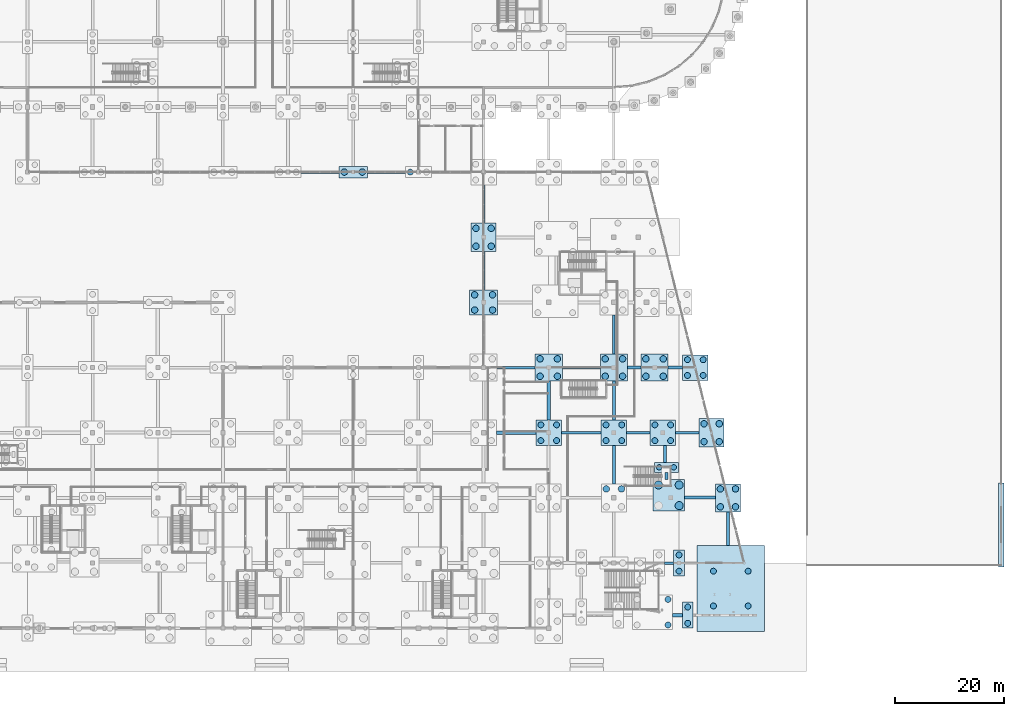
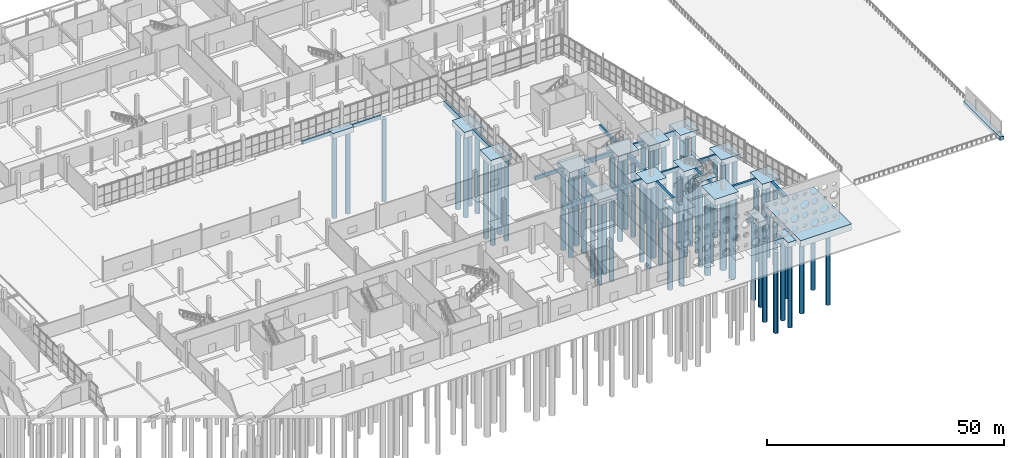
# One storey, part 9 of 117: 64 piles, 40 footings.
"""IFC4 building model written with IfcOpenShell, lengths in metres."""

import ifcopenshell
import ifcopenshell.guid

model = None  # the IFC model being written
_history = None  # IfcOwnerHistory: only IFC2X3 demands one
_inside = {}  # id of a spatial element -> (the spatial element, [elements in it])
_under = {}  # id of a project, library or spatial element -> (it, [spatial elements below it])
_declared = {}  # id of a project -> (the project, [libraries it declares])
_typed = {}  # id of a type object -> (the type object, [elements of that type])
_made_of = {}  # id of a material, layer set ... -> (it, [elements and type objects made of it])


def new_model(schema):
    """Start an empty IFC model of exactly this schema.

    Asked for "IFC4X3", IfcOpenShell would pick the latest addendum, in which some entities
    have other attributes; the version numbers below select the first issue.
    IFC2X3 requires an IfcOwnerHistory on every rooted entity: one is made here for all.
    """
    global model, _history
    if schema == "IFC4X3":
        model = ifcopenshell.file(schema_version=(4, 3, 0, 0))
    else:
        model = ifcopenshell.file(schema=schema)
    _inside.clear()
    _under.clear()
    _declared.clear()
    _typed.clear()
    _made_of.clear()
    _history = None
    if model.schema == "IFC2X3":
        org = make("IfcOrganization", Name="unknown")
        user = make(
            "IfcPersonAndOrganization",
            ThePerson=make("IfcPerson", FamilyName="unknown"),
            TheOrganization=org,
        )
        app = make(
            "IfcApplication",
            ApplicationDeveloper=org,
            Version="unknown",
            ApplicationFullName="unknown",
            ApplicationIdentifier="unknown",
        )
        _history = make(
            "IfcOwnerHistory",
            OwningUser=user,
            OwningApplication=app,
            ChangeAction="ADDED",
            CreationDate=0,
        )
    return model


def make(cls, **values):
    """One entity of the class cls with the attributes given. An attribute that is None is left unset."""
    return model.create_entity(
        cls, **{name: value for name, value in values.items() if value is not None}
    )


def rooted(cls, **values):
    """An entity with a GlobalId (a new one), such as an element, a storey or a relation."""
    return make(cls, GlobalId=ifcopenshell.guid.new(), OwnerHistory=_history, **values)


def si_unit(unit_type, name, prefix=None):
    """IfcSIUnit, for example si_unit("LENGTHUNIT", "METRE", prefix="MILLI")."""
    return make("IfcSIUnit", UnitType=unit_type, Prefix=prefix, Name=name)


def assignment(units):
    """IfcUnitAssignment: the units of a project."""
    return None if units is None else make("IfcUnitAssignment", Units=units)


def point(xyz):
    """IfcCartesianPoint."""
    return None if xyz is None else make("IfcCartesianPoint", Coordinates=xyz)


def direction(xyz):
    """IfcDirection."""
    return None if xyz is None else make("IfcDirection", DirectionRatios=xyz)


def frame(location, z_axis=None, x_axis=None):
    """IfcAxis2Placement3D, a coordinate frame: its origin and axes. An axis left out is left unset."""
    return make(
        "IfcAxis2Placement3D",
        Location=point(location),
        Axis=direction(z_axis),
        RefDirection=direction(x_axis),
    )


def frame_2d(location, x_axis=None):
    """IfcAxis2Placement2D, a coordinate frame in the plane: its origin and x axis."""
    return make(
        "IfcAxis2Placement2D", Location=point(location), RefDirection=direction(x_axis)
    )


def origin():
    """The frame at (0, 0, 0) with its axes left unset."""
    return frame((0.0, 0.0, 0.0))


def origin_2d():
    """The frame at (0, 0) in the plane with its x axis left unset."""
    return frame_2d((0.0, 0.0))


def place(relative_to, where):
    """IfcLocalPlacement: puts the frame where relative to a parent placement (None: the world)."""
    return make(
        "IfcLocalPlacement", PlacementRelTo=relative_to, RelativePlacement=where
    )


def context(
    kind, dimensions, precision=None, world=None, true_north=None, identifier=None
):
    """IfcGeometricRepresentationContext, for example the 3D "Model" context."""
    return make(
        "IfcGeometricRepresentationContext",
        ContextIdentifier=identifier,
        ContextType=kind,
        CoordinateSpaceDimension=dimensions,
        Precision=precision,
        WorldCoordinateSystem=world,
        TrueNorth=true_north,
    )


def subcontext(parent, identifier, kind, view, scale=None):
    """IfcGeometricRepresentationSubContext, for example "Body" below "Model"."""
    return make(
        "IfcGeometricRepresentationSubContext",
        ContextIdentifier=identifier,
        ContextType=kind,
        ParentContext=parent,
        TargetScale=scale,
        TargetView=view,
    )


def project(units=None, contexts=None):
    """IfcProject with its units and contexts."""
    return rooted(
        "IfcProject",
        Name="project",
        RepresentationContexts=contexts,
        UnitsInContext=assignment(units),
    )


def spatial(cls, under=None, at=None, **own):
    """A site, building, storey or space (cls), placed at a placement, below another one or the project."""
    s = rooted(cls, ObjectPlacement=at, **own)
    if under is not None:
        _under.setdefault(under.id(), (under, []))[1].append(s)
    return s


def profile(cls, at=None, kind="AREA", **sizes):
    """A parametric profile (cls). Its sizes go by their IFC names, for example OverallWidth=200.0."""
    return make(cls, ProfileType=kind, Position=at, **sizes)


def rectangle(**sizes):
    """IfcRectangleProfileDef."""
    return profile("IfcRectangleProfileDef", **sizes)


def circle(**sizes):
    """IfcCircleProfileDef."""
    return profile("IfcCircleProfileDef", **sizes)


def extrude(swept, where, along, depth):
    """IfcExtrudedAreaSolid: the profile swept, set in the frame where, extruded along a direction by depth."""
    return make(
        "IfcExtrudedAreaSolid",
        SweptArea=swept,
        Position=where,
        ExtrudedDirection=direction(along),
        Depth=depth,
    )


def shape(context_of_items, identifier, shape_type, items):
    """IfcShapeRepresentation: the items that make up one representation, for example the "Body"."""
    return make(
        "IfcShapeRepresentation",
        ContextOfItems=context_of_items,
        RepresentationIdentifier=identifier,
        RepresentationType=shape_type,
        Items=items,
    )


def material(Name=None, Category=None):
    """IfcMaterial."""
    return make("IfcMaterial", Name=Name, Category=Category)


def material_profile(
    of_material, cross_section, Name=None, Category=None, Priority=None
):
    """IfcMaterialProfile: a cross section and its material."""
    return make(
        "IfcMaterialProfile",
        Name=Name,
        Material=of_material,
        Profile=cross_section,
        Priority=Priority,
        Category=Category,
    )


def profile_set(profiles, Name=None, composite=None):
    """IfcMaterialProfileSet."""
    return make(
        "IfcMaterialProfileSet",
        Name=Name,
        MaterialProfiles=profiles,
        CompositeProfile=composite,
    )


def made_of(thing, what):
    """Note that an element or type object is made of a material, layer set ...; save() writes the relation."""
    if what is not None:
        _made_of.setdefault(what.id(), (what, []))[1].append(thing)
    return thing


def type_object(cls, material=None, **own):
    """A type object (cls), such as IfcWallType, which elements share."""
    return made_of(rooted(cls, **own), material)


def element(
    cls,
    number,
    at=None,
    inside=None,
    cuts=None,
    type_object=None,
    material=None,
    context=None,
    identifier="Body",
    shape_type=None,
    held_by="IfcProductDefinitionShape",
    body=None,
    shapes=None,
    **own,
):
    """One element of the class cls, such as IfcWall. Its Tag is "e" and its number.

    at: its placement. inside: the storey or other place that contains it. cuts: it is an
    opening in that element (IfcRelVoidsElement). A single representation is given by context,
    identifier, shape_type and body (its items); several are given by shapes. held_by: the class
    of the entity that holds the representations. save() writes the other relations.
    """
    e = rooted(cls, Tag="e%d" % number, ObjectPlacement=at, **own)
    if body is not None:
        shapes = [shape(context, identifier, shape_type, body)]
    if shapes is not None:
        e.Representation = make(held_by, Representations=shapes)
    if inside is not None:
        _inside.setdefault(inside.id(), (inside, []))[1].append(e)
    if cuts is not None:
        rooted(
            "IfcRelVoidsElement", RelatingBuildingElement=cuts, RelatedOpeningElement=e
        )
    if type_object is not None:
        _typed.setdefault(type_object.id(), (type_object, []))[1].append(e)
    return made_of(e, material)


def aggregate(whole, parts):
    """IfcRelAggregates: a whole, such as a stair, and the parts it consists of."""
    return rooted("IfcRelAggregates", RelatingObject=whole, RelatedObjects=parts)


def save(model, path):
    """Write the relations noted so far, then the file.

    IfcRelAggregates (storeys below a building ...), IfcRelContainedInSpatialStructure (elements
    in a storey), IfcRelDefinesByType, IfcRelAssociatesMaterial and IfcRelDeclares: one each for
    every whole, place, type object, material and project.
    """
    for whole, parts in _under.values():
        aggregate(whole, parts)
    for where, things in _inside.values():
        rooted(
            "IfcRelContainedInSpatialStructure",
            RelatedElements=things,
            RelatingStructure=where,
        )
    for kind, things in _typed.values():
        rooted("IfcRelDefinesByType", RelatedObjects=things, RelatingType=kind)
    for what, things in _made_of.values():
        rooted("IfcRelAssociatesMaterial", RelatedObjects=things, RelatingMaterial=what)
    for by, libraries in _declared.values():
        rooted("IfcRelDeclares", RelatingContext=by, RelatedDefinitions=libraries)
    model.write(path)


model = new_model("IFC4")

# Units and contexts
model_context = context("Model", 3, precision=1e-05, world=origin(), true_north=direction((0.0, 1.0)))
body_context = subcontext(model_context, "Body", "Model", "MODEL_VIEW")
ifc_project = project(units=[si_unit("LENGTHUNIT", "METRE"), si_unit("AREAUNIT", "SQUARE_METRE"), si_unit("VOLUMEUNIT", "CUBIC_METRE"), si_unit("PLANEANGLEUNIT", "RADIAN"), si_unit("MASSUNIT", "GRAM", prefix="KILO")], contexts=[model_context])

# Site, building, storey
site_placement = place(None, origin())
site = spatial("IfcSite", under=ifc_project, at=site_placement, CompositionType="ELEMENT")
building_placement = place(site_placement, origin())
building = spatial("IfcBuilding", under=site, at=building_placement, Name="Kamomehara Wholesale Market", CompositionType="ELEMENT")
storey_placement = place(building_placement, origin())
storey = spatial("IfcBuildingStorey", under=building, at=storey_placement, Name="L00", CompositionType="ELEMENT", Elevation=0.0)

# Footings
ifc_material_1 = material(Name="Concrete Fc30 (C30/37)", Category="concrete")
footing_type_1 = type_object("IfcFootingType", Name="CAP-2PX-4400", PredefinedType="PILE_CAP", material=ifc_material_1)
footing_1_placement = place(storey_placement, frame((189.68310546875, 41.6201171875, -1.25), z_axis=(0.0, 0.0, 1.0), x_axis=(1.0, 0.0, 0.0)))
element("IfcFooting", 1, at=footing_1_placement, inside=storey, type_object=footing_type_1, Name="Pile cap PC-04", PredefinedType="PILE_CAP", context=body_context, shape_type="SweptSolid", body=[
    extrude(rectangle(XDim=4.39990234375, YDim=1.85009765625, at=origin_2d()), origin(), (0.0, 0.0, 1.0), 1.25),
])
ifc_material_2 = material(Name="Concrete Fc30 (C30/37)", Category="concrete")
footing_type_2 = type_object("IfcFootingType", Name="CAP-2PX-5200", PredefinedType="PILE_CAP", material=ifc_material_2)
footing_2_placement = place(storey_placement, frame((132.0, 96.0, -1.35009765625), z_axis=(0.0, 0.0, 1.0), x_axis=(1.0, 0.0, 0.0)))
element("IfcFooting", 2, at=footing_2_placement, inside=storey, type_object=footing_type_2, Name="Pile cap PC-08", PredefinedType="PILE_CAP", context=body_context, shape_type="SweptSolid", body=[
    extrude(rectangle(XDim=5.199951171875, YDim=2.14990234375, at=origin_2d()), origin(), (0.0, 0.0, 1.0), 1.35009765625),
])
ifc_material_3 = material(Name="Concrete Fc30 (C30/37)", Category="concrete")
footing_type_3 = type_object("IfcFootingType", Name="CAP-2PY-4800", PredefinedType="PILE_CAP", material=ifc_material_3)
for number, where, z_axis, x_axis, name in (
    (3, (192.0, 24.0, -1.2998046875), (0.0, 0.0, 1.0), (1.0, 0.0, 0.0), "Pile cap PC-07"),
    (4, (193.60009765625, 14.39990234375, -1.2998046875), (0.0, 0.0, 1.0), (1.0, 0.0, 0.0), "Pile cap PC-07"),
):
    element("IfcFooting", number, at=place(storey_placement, frame(where, z_axis=z_axis, x_axis=x_axis)), inside=storey, type_object=footing_type_3, Name=name, PredefinedType="PILE_CAP", context=body_context, shape_type="SweptSolid", body=[
        extrude(rectangle(XDim=2.0, YDim=4.800048828125, at=origin_2d()), origin(), (0.0, 0.0, 1.0), 1.300048828125),
    ])
ifc_material_4 = material(Name="Concrete Fc30 (C30/37)", Category="concrete")
footing_type_4 = type_object("IfcFootingType", Name="CAP-4P-4700", PredefinedType="PILE_CAP", material=ifc_material_4)
for number, where, z_axis, x_axis, name in (
    (5, (168.0, 48.0, -1.4501953125), (0.0, 0.0, 1.0), (1.0, 0.0, 0.0), "Pile cap PC-11"),
    (6, (180.0, 48.0, -1.4501953125), (0.0, 0.0, 1.0), (1.0, 0.0, 0.0), "Pile cap PC-11"),
    (7, (189.0, 48.0, -1.4501953125), (0.0, 0.0, 1.0), (1.0, 0.0, 0.0), "Pile cap PC-11"),
    (8, (195.0, 60.0, -1.4501953125), (0.0, 0.0, 1.0), (1.0, 0.0, 0.0), "Pile cap PC-11"),
):
    element("IfcFooting", number, at=place(storey_placement, frame(where, z_axis=z_axis, x_axis=x_axis)), inside=storey, type_object=footing_type_4, Name=name, PredefinedType="PILE_CAP", context=body_context, shape_type="SweptSolid", body=[
        extrude(rectangle(XDim=4.699951171875, YDim=4.699951171875, at=origin_2d()), origin(), (0.0, 0.0, 1.0), 1.449951171875),
    ])
ifc_material_5 = material(Name="Concrete Fc30 (C30/37)", Category="concrete")
footing_type_5 = type_object("IfcFootingType", Name="CAP-4P-5000", PredefinedType="PILE_CAP", material=ifc_material_5)
for number, where, z_axis, x_axis, name in (
    (9, (168.0, 60.0, -1.5), (0.0, 0.0, 1.0), (1.0, 0.0, 0.0), "Pile cap PC-12"),
    (10, (180.0, 60.0, -1.5), (0.0, 0.0, 1.0), (1.0, 0.0, 0.0), "Pile cap PC-12"),
    (11, (187.5, 60.0, -1.5), (0.0, 0.0, 1.0), (1.0, 0.0, 0.0), "Pile cap PC-12"),
):
    element("IfcFooting", number, at=place(storey_placement, frame(where, z_axis=z_axis, x_axis=x_axis)), inside=storey, type_object=footing_type_5, Name=name, PredefinedType="PILE_CAP", context=body_context, shape_type="SweptSolid", body=[
        extrude(rectangle(XDim=5.0, YDim=5.0, at=origin_2d()), origin(), (0.0, 0.0, 1.0), 1.5),
    ])
ifc_material_6 = material(Name="Concrete Fc30 (C30/37)", Category="concrete")
footing_type_6 = type_object("IfcFootingType", Name="CAP-4P-5800", PredefinedType="PILE_CAP", material=ifc_material_6)
footing_3_placement = place(storey_placement, frame((190.123046875, 36.47509765625, -1.7001953125), z_axis=(0.0, 0.0, 1.0), x_axis=(1.0, 0.0, 0.0)))
element("IfcFooting", 12, at=footing_3_placement, inside=storey, type_object=footing_type_6, Name="Pile cap PC-14", PredefinedType="PILE_CAP", context=body_context, shape_type="SweptSolid", body=[
    extrude(rectangle(XDim=5.800048828125, YDim=5.800048828125, at=origin_2d()), origin(), (0.0, 0.0, 1.0), 1.699951171875),
])
ifc_material_7 = material(Name="Concrete Fc30 (C30/37)", Category="concrete")
footing_type_7 = type_object("IfcFootingType", Name="CAP-4PR-4600", PredefinedType="PILE_CAP", material=ifc_material_7)
for number, where, z_axis, x_axis, name in (
    (13, (156.0, 84.0, -1.5498046875), (0.0, 0.0, 1.0), (1.0, 0.0, 0.0), "Pile cap PC-16"),
    (14, (198.0, 48.0, -1.5498046875), (0.0, 0.0, 1.0), (1.0, 0.0, 0.0), "Pile cap PC-16"),
    (15, (201.0, 36.0, -1.5498046875), (0.0, 0.0, 1.0), (1.0, 0.0, 0.0), "Pile cap PC-16"),
):
    element("IfcFooting", number, at=place(storey_placement, frame(where, z_axis=z_axis, x_axis=x_axis)), inside=storey, type_object=footing_type_7, Name=name, PredefinedType="PILE_CAP", context=body_context, shape_type="SweptSolid", body=[
        extrude(rectangle(XDim=4.60009765625, YDim=5.199951171875, at=origin_2d()), origin(), (0.0, 0.0, 1.0), 1.550048828125),
    ])
ifc_material_8 = material(Name="Concrete Fc30 (C30/37)", Category="concrete")
footing_type_8 = type_object("IfcFootingType", Name="CAP-4PR-5200", PredefinedType="PILE_CAP", material=ifc_material_8)
footing_4_placement = place(storey_placement, frame((156.0, 72.0, -1.5498046875), z_axis=(0.0, 0.0, 1.0), x_axis=(1.0, 0.0, 0.0)))
element("IfcFooting", 16, at=footing_4_placement, inside=storey, type_object=footing_type_8, Name="Pile cap PC-15", PredefinedType="PILE_CAP", context=body_context, shape_type="SweptSolid", body=[
    extrude(rectangle(XDim=5.199951171875, YDim=4.60009765625, at=origin_2d()), origin(), (0.0, 0.0, 1.0), 1.550048828125),
])
ifc_material_9 = material(Name="Concrete Fc30 (C30/37)", Category="concrete")
footing_type_9 = type_object("IfcFootingType", Name="CAP-CMB-1240x1590", PredefinedType="PILE_CAP", material=ifc_material_9)
footing_5_placement = place(storey_placement, frame((201.533935546875, 19.300048828125, -1.64990234375), z_axis=(0.0, 0.0, 1.0), x_axis=(1.0, 0.0, 0.0)))
element("IfcFooting", 17, at=footing_5_placement, inside=storey, type_object=footing_type_9, Name="Pile cap PCC-124x159", PredefinedType="PILE_CAP", context=body_context, shape_type="SweptSolid", body=[
    extrude(rectangle(XDim=12.39990234375, YDim=15.89990234375, at=origin_2d()), origin(), (0.0, 0.0, 1.0), 1.64990234375),
])
ifc_material_10 = material(Name="Concrete Fc30 (C30/37)", Category="concrete")
ifc_material_profile_1 = material_profile(ifc_material_10, rectangle(XDim=0.449951171875, YDim=0.89990234375, at=origin_2d()), Name="RC-FTB-450x900")
ifc_profile_set_1 = profile_set([ifc_material_profile_1], Name="Concrete Fc30 (C30/37)")
footing_type_10 = type_object("IfcFootingType", Name="FTB-450x900", PredefinedType="FOOTING_BEAM", material=ifc_profile_set_1)
footing_6_placement = place(storey_placement, frame((122.402099609375, 96.0, -0.449951171875), z_axis=(1.0, 0.0, 0.0), x_axis=(0.0, 1.0, 0.0)))
element("IfcFooting", 18, at=footing_6_placement, inside=storey, type_object=footing_type_10, Name="Foundation tie beam 123", PredefinedType="FOOTING_BEAM", context=body_context, shape_type="SweptSolid", body=[
    extrude(rectangle(XDim=0.449951171875, YDim=0.89990234375, at=origin_2d()), origin(), (0.0, 0.0, 1.0), 6.995849609375),
])
footing_7_placement = place(storey_placement, frame((158.501953125, 60.0, -0.449951171875), z_axis=(1.0, 0.0, 0.0), x_axis=(0.0, 1.0, 0.0)))
element("IfcFooting", 19, at=footing_7_placement, inside=storey, type_object=footing_type_10, Name="Foundation tie beam 159", PredefinedType="FOOTING_BEAM", context=body_context, shape_type="SweptSolid", body=[
    extrude(rectangle(XDim=0.449951171875, YDim=0.89990234375, at=origin_2d()), origin(), (0.0, 0.0, 1.0), 6.99609375),
])
footing_8_placement = place(storey_placement, frame((182.35205078125, 48.0, -0.449951171875), z_axis=(1.0, 0.0, 0.0), x_axis=(0.0, 1.0, 0.0)))
element("IfcFooting", 20, at=footing_8_placement, inside=storey, type_object=footing_type_10, Name="Foundation tie beam 187", PredefinedType="FOOTING_BEAM", context=body_context, shape_type="SweptSolid", body=[
    extrude(rectangle(XDim=0.449951171875, YDim=0.89990234375, at=origin_2d()), origin(), (0.0, 0.0, 1.0), 4.2958984375),
])
footing_9_placement = place(storey_placement, frame((189.302001953125, 24.0, -0.449951171875), z_axis=(1.0, 0.0, 0.0), x_axis=(0.0, 1.0, 0.0)))
element("IfcFooting", 21, at=footing_9_placement, inside=storey, type_object=footing_type_10, Name="Foundation tie beam 199", PredefinedType="FOOTING_BEAM", context=body_context, shape_type="SweptSolid", body=[
    extrude(rectangle(XDim=0.449951171875, YDim=0.89990234375, at=origin_2d()), origin(), (0.0, 0.0, 1.0), 1.696044921875),
])
footing_10_placement = place(storey_placement, frame((180.0, 62.501953125, -0.449951171875), z_axis=(0.0, 1.0, 0.0), x_axis=(-1.0, 0.0, 0.0)))
element("IfcFooting", 22, at=footing_10_placement, inside=storey, type_object=footing_type_10, Name="Foundation tie beam 339", PredefinedType="FOOTING_BEAM", context=body_context, shape_type="SweptSolid", body=[
    extrude(rectangle(XDim=0.449951171875, YDim=0.89990234375, at=origin_2d()), origin(), (0.0, 0.0, 1.0), 7.196044921875),
])
ifc_material_11 = material(Name="Concrete Fc30 (C30/37)", Category="concrete")
ifc_material_profile_2 = material_profile(ifc_material_11, rectangle(XDim=0.5, YDim=1.0, at=origin_2d()), Name="RC-FTB-500x1000")
ifc_profile_set_2 = profile_set([ifc_material_profile_2], Name="Concrete Fc30 (C30/37)")
footing_type_11 = type_object("IfcFootingType", Name="FTB-500x1000", PredefinedType="FOOTING_BEAM", material=ifc_profile_set_2)
footing_11_placement = place(storey_placement, frame((134.60205078125, 96.0, -0.5), z_axis=(1.0, 0.0, 0.0), x_axis=(0.0, 1.0, 0.0)))
element("IfcFooting", 23, at=footing_11_placement, inside=storey, type_object=footing_type_11, Name="Foundation tie beam 136", PredefinedType="FOOTING_BEAM", context=body_context, shape_type="SweptSolid", body=[
    extrude(rectangle(XDim=0.5, YDim=1.0, at=origin_2d()), origin(), (0.0, 0.0, 1.0), 6.995849609375),
])
footing_12_placement = place(storey_placement, frame((170.35205078125, 48.0, -0.5), z_axis=(1.0, 0.0, 0.0), x_axis=(0.0, 1.0, 0.0)))
element("IfcFooting", 24, at=footing_12_placement, inside=storey, type_object=footing_type_11, Name="Foundation tie beam 172", PredefinedType="FOOTING_BEAM", context=body_context, shape_type="SweptSolid", body=[
    extrude(rectangle(XDim=0.5, YDim=1.0, at=origin_2d()), origin(), (0.0, 0.0, 1.0), 7.2958984375),
])
footing_13_placement = place(storey_placement, frame((182.501953125, 60.0, -0.5), z_axis=(1.0, 0.0, 0.0), x_axis=(0.0, 1.0, 0.0)))
element("IfcFooting", 25, at=footing_13_placement, inside=storey, type_object=footing_type_11, Name="Foundation tie beam 188", PredefinedType="FOOTING_BEAM", context=body_context, shape_type="SweptSolid", body=[
    extrude(rectangle(XDim=0.5, YDim=1.0, at=origin_2d()), origin(), (0.0, 0.0, 1.0), 2.49609375),
])
footing_14_placement = place(storey_placement, frame((191.35205078125, 48.0, -0.5), z_axis=(1.0, 0.0, 0.0), x_axis=(0.0, 1.0, 0.0)))
element("IfcFooting", 26, at=footing_14_placement, inside=storey, type_object=footing_type_11, Name="Foundation tie beam 200", PredefinedType="FOOTING_BEAM", context=body_context, shape_type="SweptSolid", body=[
    extrude(rectangle(XDim=0.5, YDim=1.0, at=origin_2d()), origin(), (0.0, 0.0, 1.0), 4.345947265625),
])
footing_15_placement = place(storey_placement, frame((189.68310546875, 39.376953125, -0.5), z_axis=(0.0, 1.0, 0.0), x_axis=(-1.0, 0.0, 0.0)))
element("IfcFooting", 27, at=footing_15_placement, inside=storey, type_object=footing_type_11, Name="Foundation tie beam 344", PredefinedType="FOOTING_BEAM", context=body_context, shape_type="SweptSolid", body=[
    extrude(rectangle(XDim=0.5, YDim=1.0, at=origin_2d()), origin(), (0.0, 0.0, 1.0), 1.316162109375),
])
ifc_material_12 = material(Name="Concrete Fc30 (C30/37)", Category="concrete")
ifc_material_profile_3 = material_profile(ifc_material_12, rectangle(XDim=0.550048828125, YDim=1.10009765625, at=origin_2d()), Name="RC-FTB-550x1100")
ifc_profile_set_3 = profile_set([ifc_material_profile_3], Name="Concrete Fc30 (C30/37)")
footing_type_12 = type_object("IfcFootingType", Name="FTB-550x1100", PredefinedType="FOOTING_BEAM", material=ifc_profile_set_3)
footing_16_placement = place(storey_placement, frame((170.501953125, 60.0, -0.550048828125), z_axis=(1.0, 0.0, 0.0), x_axis=(0.0, 1.0, 0.0)))
element("IfcFooting", 28, at=footing_16_placement, inside=storey, type_object=footing_type_12, Name="Foundation tie beam 173", PredefinedType="FOOTING_BEAM", context=body_context, shape_type="SweptSolid", body=[
    extrude(rectangle(XDim=0.550048828125, YDim=1.10009765625, at=origin_2d()), origin(), (0.0, 0.0, 1.0), 6.99609375),
])
footing_17_placement = place(storey_placement, frame((193.02490234375, 36.087890625, -0.550048828125), z_axis=(1.0, 0.0, 0.0), x_axis=(0.0, 1.0, 0.0)))
element("IfcFooting", 29, at=footing_17_placement, inside=storey, type_object=footing_type_12, Name="Foundation tie beam 201", PredefinedType="FOOTING_BEAM", context=body_context, shape_type="SweptSolid", body=[
    extrude(rectangle(XDim=0.550048828125, YDim=1.10009765625, at=origin_2d()), origin(), (0.0, 0.0, 1.0), 5.673095703125),
])
footing_18_placement = place(storey_placement, frame((156.0, 74.302001953125, -0.550048828125), z_axis=(0.0, 1.0, 0.0), x_axis=(-1.0, 0.0, 0.0)))
element("IfcFooting", 30, at=footing_18_placement, inside=storey, type_object=footing_type_12, Name="Foundation tie beam 321", PredefinedType="FOOTING_BEAM", context=body_context, shape_type="SweptSolid", body=[
    extrude(rectangle(XDim=0.550048828125, YDim=1.10009765625, at=origin_2d()), origin(), (0.0, 0.0, 1.0), 7.095947265625),
])
footing_19_placement = place(storey_placement, frame((180.0, 38.60205078125, -0.550048828125), z_axis=(0.0, 1.0, 0.0), x_axis=(-1.0, 0.0, 0.0)))
element("IfcFooting", 31, at=footing_19_placement, inside=storey, type_object=footing_type_12, Name="Foundation tie beam 337", PredefinedType="FOOTING_BEAM", context=body_context, shape_type="SweptSolid", body=[
    extrude(rectangle(XDim=0.550048828125, YDim=1.10009765625, at=origin_2d()), origin(), (0.0, 0.0, 1.0), 7.0458984375),
])
footing_20_placement = place(storey_placement, frame((189.416015625, 42.547119140625, -0.550048828125), z_axis=(0.0, 1.0, 0.0), x_axis=(-1.0, 0.0, 0.0)))
element("IfcFooting", 32, at=footing_20_placement, inside=storey, type_object=footing_type_12, Name="Foundation tie beam 345", PredefinedType="FOOTING_BEAM", context=body_context, shape_type="SweptSolid", body=[
    extrude(rectangle(XDim=0.550048828125, YDim=1.10009765625, at=origin_2d()), origin(), (0.0, 0.0, 1.0), 3.100830078125),
])
ifc_material_13 = material(Name="Concrete Fc30 (C30/37)", Category="concrete")
ifc_material_profile_4 = material_profile(ifc_material_13, rectangle(XDim=0.60009765625, YDim=1.199951171875, at=origin_2d()), Name="RC-FTB-600x1200")
ifc_profile_set_4 = profile_set([ifc_material_profile_4], Name="Concrete Fc30 (C30/37)")
footing_type_13 = type_object("IfcFootingType", Name="FTB-600x1200", PredefinedType="FOOTING_BEAM", material=ifc_profile_set_4)
footing_21_placement = place(storey_placement, frame((158.35205078125, 48.0, -0.60009765625), z_axis=(1.0, 0.0, 0.0), x_axis=(0.0, 1.0, 0.0)))
element("IfcFooting", 33, at=footing_21_placement, inside=storey, type_object=footing_type_13, Name="Foundation tie beam 158", PredefinedType="FOOTING_BEAM", context=body_context, shape_type="SweptSolid", body=[
    extrude(rectangle(XDim=0.60009765625, YDim=1.199951171875, at=origin_2d()), origin(), (0.0, 0.0, 1.0), 7.2958984375),
])
footing_22_placement = place(storey_placement, frame((190.826904296875, 14.39990234375, -0.60009765625), z_axis=(1.0, 0.0, 0.0), x_axis=(0.0, 1.0, 0.0)))
element("IfcFooting", 34, at=footing_22_placement, inside=storey, type_object=footing_type_13, Name="Foundation tie beam 194", PredefinedType="FOOTING_BEAM", context=body_context, shape_type="SweptSolid", body=[
    extrude(rectangle(XDim=0.60009765625, YDim=1.199951171875, at=origin_2d()), origin(), (0.0, 0.0, 1.0), 1.77099609375),
])
footing_23_placement = place(storey_placement, frame((190.001953125, 60.0, -0.60009765625), z_axis=(1.0, 0.0, 0.0), x_axis=(0.0, 1.0, 0.0)))
element("IfcFooting", 35, at=footing_23_placement, inside=storey, type_object=footing_type_13, Name="Foundation tie beam 198", PredefinedType="FOOTING_BEAM", context=body_context, shape_type="SweptSolid", body=[
    extrude(rectangle(XDim=0.60009765625, YDim=1.199951171875, at=origin_2d()), origin(), (0.0, 0.0, 1.0), 2.64599609375),
])
footing_24_placement = place(storey_placement, frame((156.0, 86.60205078125, -0.60009765625), z_axis=(0.0, 1.0, 0.0), x_axis=(-1.0, 0.0, 0.0)))
element("IfcFooting", 36, at=footing_24_placement, inside=storey, type_object=footing_type_13, Name="Foundation tie beam 322", PredefinedType="FOOTING_BEAM", context=body_context, shape_type="SweptSolid", body=[
    extrude(rectangle(XDim=0.60009765625, YDim=1.199951171875, at=origin_2d()), origin(), (0.0, 0.0, 1.0), 7.0458984375),
])
for number, where, z_axis, x_axis, name in (
    (37, (168.0, 50.35205078125, -0.60009765625), (0.0, 1.0, 0.0), (-1.0, 0.0, 0.0), "Foundation tie beam 330"),
    (38, (180.0, 50.35205078125, -0.60009765625), (0.0, 1.0, 0.0), (-1.0, 0.0, 0.0), "Foundation tie beam 338"),
):
    element("IfcFooting", number, at=place(storey_placement, frame(where, z_axis=z_axis, x_axis=x_axis)), inside=storey, type_object=footing_type_13, Name=name, PredefinedType="FOOTING_BEAM", context=body_context, shape_type="SweptSolid", body=[
        extrude(rectangle(XDim=0.60009765625, YDim=1.199951171875, at=origin_2d()), origin(), (0.0, 0.0, 1.0), 7.14599609375),
    ])
footing_25_placement = place(storey_placement, frame((201.0, 27.251953125, -0.60009765625), z_axis=(0.0, 1.0, 0.0), x_axis=(-1.0, 0.0, 0.0)))
element("IfcFooting", 39, at=footing_25_placement, inside=storey, type_object=footing_type_13, Name="Foundation tie beam 346", PredefinedType="FOOTING_BEAM", context=body_context, shape_type="SweptSolid", body=[
    extrude(rectangle(XDim=0.60009765625, YDim=1.199951171875, at=origin_2d()), origin(), (0.0, 0.0, 1.0), 6.14599609375),
])
ifc_material_14 = material(Name="Concrete Fc30 (C30/37)", Category="concrete")
footing_type_14 = type_object("IfcFootingType", Name="PAD-GTW-15400", PredefinedType="PAD_FOOTING", material=ifc_material_14)
footing_26_placement = place(storey_placement, frame((251.35009765625, 31.0, -0.89990234375), z_axis=(0.0, 0.0, 1.0), x_axis=(1.0, 0.0, 0.0)))
element("IfcFooting", 40, at=footing_26_placement, inside=storey, type_object=footing_type_14, Name="Car park gate portal footing", PredefinedType="PAD_FOOTING", context=body_context, shape_type="SweptSolid", body=[
    extrude(rectangle(XDim=1.0, YDim=15.39990234375, at=origin_2d()), origin(), (0.0, 0.0, 1.0), 0.89990234375),
])

# Piles
ifc_material_15 = material(Name="Concrete Fc30 (C30/37)", Category="concrete")
ifc_material_profile_5 = material_profile(ifc_material_15, circle(Radius=0.5, at=origin_2d()), Name="RC-PILE-D1000")
ifc_profile_set_5 = profile_set([ifc_material_profile_5], Name="Concrete Fc30 (C30/37)")
pile_type_1 = type_object("IfcPileType", Name="PILE-D1000", PredefinedType="BORED", material=ifc_profile_set_5)
for number, where, z_axis, x_axis, name in (
    (41, (188.3330078125, 41.6201171875, -1.14990234375), (0.0, 0.0, -1.0), (1.0, 0.0, 0.0), "Bored pile 232.658"),
    (42, (191.032958984375, 41.6201171875, -1.14990234375), (0.0, 0.0, -1.0), (1.0, 0.0, 0.0), "Bored pile 232.659"),
):
    element("IfcPile", number, at=place(storey_placement, frame(where, z_axis=z_axis, x_axis=x_axis)), inside=storey, type_object=pile_type_1, Name=name, PredefinedType="BORED", context=body_context, shape_type="SweptSolid", body=[
        extrude(circle(Radius=0.5, at=origin_2d()), origin(), (0.0, 0.0, 1.0), 21.35009765625),
    ])
ifc_material_16 = material(Name="Concrete Fc30 (C30/37)", Category="concrete")
ifc_material_profile_6 = material_profile(ifc_material_16, circle(Radius=0.550048828125, at=origin_2d()), Name="RC-PILE-D1100")
ifc_profile_set_6 = profile_set([ifc_material_profile_6], Name="Concrete Fc30 (C30/37)")
pile_type_2 = type_object("IfcPileType", Name="PILE-D1100", PredefinedType="BORED", material=ifc_profile_set_6)
pile_placement = place(storey_placement, frame((142.5, 96.0, -1.199951171875), z_axis=(0.0, 0.0, -1.0), x_axis=(1.0, 0.0, 0.0)))
element("IfcPile", 43, at=pile_placement, inside=storey, type_object=pile_type_2, Name="Bored pile 166.467", PredefinedType="BORED", context=body_context, shape_type="SweptSolid", body=[
    extrude(circle(Radius=0.550048828125, at=origin_2d()), origin(), (0.0, 0.0, 1.0), 21.300048828125),
])
for number, where, z_axis, x_axis, name in (
    (44, (166.550048828125, 46.550048828125, -1.35009765625), (0.0, 0.0, -1.0), (1.0, 0.0, 0.0), "Bored pile 192.548"),
    (45, (169.449951171875, 46.550048828125, -1.35009765625), (0.0, 0.0, -1.0), (1.0, 0.0, 0.0), "Bored pile 192.549"),
    (46, (166.550048828125, 49.449951171875, -1.35009765625), (0.0, 0.0, -1.0), (1.0, 0.0, 0.0), "Bored pile 192.550"),
    (47, (169.449951171875, 49.449951171875, -1.35009765625), (0.0, 0.0, -1.0), (1.0, 0.0, 0.0), "Bored pile 192.551"),
    (48, (178.550048828125, 46.550048828125, -1.35009765625), (0.0, 0.0, -1.0), (1.0, 0.0, 0.0), "Bored pile 208.599"),
    (49, (181.449951171875, 46.550048828125, -1.35009765625), (0.0, 0.0, -1.0), (1.0, 0.0, 0.0), "Bored pile 208.600"),
    (50, (178.550048828125, 49.449951171875, -1.35009765625), (0.0, 0.0, -1.0), (1.0, 0.0, 0.0), "Bored pile 208.601"),
    (51, (181.449951171875, 49.449951171875, -1.35009765625), (0.0, 0.0, -1.0), (1.0, 0.0, 0.0), "Bored pile 208.602"),
):
    element("IfcPile", number, at=place(storey_placement, frame(where, z_axis=z_axis, x_axis=x_axis)), inside=storey, type_object=pile_type_2, Name=name, PredefinedType="BORED", context=body_context, shape_type="SweptSolid", body=[
        extrude(circle(Radius=0.550048828125, at=origin_2d()), origin(), (0.0, 0.0, 1.0), 21.14990234375),
    ])
for number, where, z_axis, x_axis, name in (
    (52, (189.97509765625, 12.60009765625, -1.550048828125), (0.0, 0.0, -1.0), (1.0, 0.0, 0.0), "Bored pile 220.627"),
    (53, (189.97509765625, 17.300048828125, -1.550048828125), (0.0, 0.0, -1.0), (1.0, 0.0, 0.0), "Bored pile 220.629"),
):
    element("IfcPile", number, at=place(storey_placement, frame(where, z_axis=z_axis, x_axis=x_axis)), inside=storey, type_object=pile_type_2, Name=name, PredefinedType="BORED", context=body_context, shape_type="SweptSolid", body=[
        extrude(circle(Radius=0.550048828125, at=origin_2d()), origin(), (0.0, 0.0, 1.0), 20.949951171875),
    ])
for number, where, z_axis, x_axis, name in (
    (54, (187.550048828125, 46.550048828125, -1.35009765625), (0.0, 0.0, -1.0), (1.0, 0.0, 0.0), "Bored pile 230.650"),
    (55, (190.449951171875, 46.550048828125, -1.35009765625), (0.0, 0.0, -1.0), (1.0, 0.0, 0.0), "Bored pile 230.651"),
    (56, (187.550048828125, 49.449951171875, -1.35009765625), (0.0, 0.0, -1.0), (1.0, 0.0, 0.0), "Bored pile 230.652"),
    (57, (190.449951171875, 49.449951171875, -1.35009765625), (0.0, 0.0, -1.0), (1.0, 0.0, 0.0), "Bored pile 230.653"),
):
    element("IfcPile", number, at=place(storey_placement, frame(where, z_axis=z_axis, x_axis=x_axis)), inside=storey, type_object=pile_type_2, Name=name, PredefinedType="BORED", context=body_context, shape_type="SweptSolid", body=[
        extrude(circle(Radius=0.550048828125, at=origin_2d()), origin(), (0.0, 0.0, 1.0), 21.14990234375),
    ])
for number, where, z_axis, x_axis, name in (
    (58, (192.0, 22.5, -1.199951171875), (0.0, 0.0, -1.0), (1.0, 0.0, 0.0), "Bored pile 237.664"),
    (59, (192.0, 25.5, -1.199951171875), (0.0, 0.0, -1.0), (1.0, 0.0, 0.0), "Bored pile 237.665"),
):
    element("IfcPile", number, at=place(storey_placement, frame(where, z_axis=z_axis, x_axis=x_axis)), inside=storey, type_object=pile_type_2, Name=name, PredefinedType="BORED", context=body_context, shape_type="SweptSolid", body=[
        extrude(circle(Radius=0.550048828125, at=origin_2d()), origin(), (0.0, 0.0, 1.0), 21.300048828125),
    ])
for number, where, z_axis, x_axis, name in (
    (60, (193.550048828125, 58.550048828125, -1.35009765625), (0.0, 0.0, -1.0), (1.0, 0.0, 0.0), "Bored pile 242.673"),
    (61, (196.449951171875, 58.550048828125, -1.35009765625), (0.0, 0.0, -1.0), (1.0, 0.0, 0.0), "Bored pile 242.674"),
    (62, (193.550048828125, 61.449951171875, -1.35009765625), (0.0, 0.0, -1.0), (1.0, 0.0, 0.0), "Bored pile 242.675"),
    (63, (196.449951171875, 61.449951171875, -1.35009765625), (0.0, 0.0, -1.0), (1.0, 0.0, 0.0), "Bored pile 242.676"),
):
    element("IfcPile", number, at=place(storey_placement, frame(where, z_axis=z_axis, x_axis=x_axis)), inside=storey, type_object=pile_type_2, Name=name, PredefinedType="BORED", context=body_context, shape_type="SweptSolid", body=[
        extrude(circle(Radius=0.550048828125, at=origin_2d()), origin(), (0.0, 0.0, 1.0), 21.14990234375),
    ])
for number, where, z_axis, x_axis, name in (
    (64, (198.333984375, 16.10009765625, -1.550048828125), (0.0, 0.0, -1.0), (1.0, 0.0, 0.0), "Bored pile 246.683"),
    (65, (204.73388671875, 16.10009765625, -1.550048828125), (0.0, 0.0, -1.0), (1.0, 0.0, 0.0), "Bored pile 246.684"),
    (66, (198.333984375, 22.5, -1.550048828125), (0.0, 0.0, -1.0), (1.0, 0.0, 0.0), "Bored pile 246.685"),
    (67, (204.73388671875, 22.5, -1.550048828125), (0.0, 0.0, -1.0), (1.0, 0.0, 0.0), "Bored pile 246.686"),
):
    element("IfcPile", number, at=place(storey_placement, frame(where, z_axis=z_axis, x_axis=x_axis)), inside=storey, type_object=pile_type_2, Name=name, PredefinedType="BORED", context=body_context, shape_type="SweptSolid", body=[
        extrude(circle(Radius=0.550048828125, at=origin_2d()), origin(), (0.0, 0.0, 1.0), 20.949951171875),
    ])
for number, where, z_axis, x_axis, name in (
    (68, (193.60009765625, 12.89990234375, -1.199951171875), (0.0, 0.0, -1.0), (1.0, 0.0, 0.0), "Bored pile 258.702"),
    (69, (193.60009765625, 15.89990234375, -1.199951171875), (0.0, 0.0, -1.0), (1.0, 0.0, 0.0), "Bored pile 258.703"),
):
    element("IfcPile", number, at=place(storey_placement, frame(where, z_axis=z_axis, x_axis=x_axis)), inside=storey, type_object=pile_type_2, Name=name, PredefinedType="BORED", context=body_context, shape_type="SweptSolid", body=[
        extrude(circle(Radius=0.550048828125, at=origin_2d()), origin(), (0.0, 0.0, 1.0), 21.300048828125),
    ])
ifc_material_17 = material(Name="Concrete Fc30 (C30/37)", Category="concrete")
ifc_material_profile_7 = material_profile(ifc_material_17, circle(Radius=0.60009765625, at=origin_2d()), Name="RC-PILE-D1200")
ifc_profile_set_7 = profile_set([ifc_material_profile_7], Name="Concrete Fc30 (C30/37)")
pile_type_3 = type_object("IfcPileType", Name="PILE-D1200", PredefinedType="BORED", material=ifc_profile_set_7)
for number, where, z_axis, x_axis, name in (
    (70, (130.35009765625, 96.0, -1.25), (0.0, 0.0, -1.0), (1.0, 0.0, 0.0), "Bored pile 151.432"),
    (71, (133.64990234375, 96.0, -1.25), (0.0, 0.0, -1.0), (1.0, 0.0, 0.0), "Bored pile 151.433"),
):
    element("IfcPile", number, at=place(storey_placement, frame(where, z_axis=z_axis, x_axis=x_axis)), inside=storey, type_object=pile_type_3, Name=name, PredefinedType="BORED", context=body_context, shape_type="SweptSolid", body=[
        extrude(circle(Radius=0.60009765625, at=origin_2d()), origin(), (0.0, 0.0, 1.0), 21.25),
    ])
for number, where, z_axis, x_axis, name in (
    (72, (154.35009765625, 70.60009765625, -1.449951171875), (0.0, 0.0, -1.0), (1.0, 0.0, 0.0), "Bored pile 179.504"),
    (73, (157.64990234375, 70.60009765625, -1.449951171875), (0.0, 0.0, -1.0), (1.0, 0.0, 0.0), "Bored pile 179.505"),
    (74, (154.35009765625, 73.39990234375, -1.449951171875), (0.0, 0.0, -1.0), (1.0, 0.0, 0.0), "Bored pile 179.506"),
    (75, (157.64990234375, 73.39990234375, -1.449951171875), (0.0, 0.0, -1.0), (1.0, 0.0, 0.0), "Bored pile 179.507"),
    (76, (154.60009765625, 82.35009765625, -1.449951171875), (0.0, 0.0, -1.0), (1.0, 0.0, 0.0), "Bored pile 180.508"),
    (77, (157.39990234375, 82.35009765625, -1.449951171875), (0.0, 0.0, -1.0), (1.0, 0.0, 0.0), "Bored pile 180.509"),
    (78, (154.60009765625, 85.64990234375, -1.449951171875), (0.0, 0.0, -1.0), (1.0, 0.0, 0.0), "Bored pile 180.510"),
    (79, (157.39990234375, 85.64990234375, -1.449951171875), (0.0, 0.0, -1.0), (1.0, 0.0, 0.0), "Bored pile 180.511"),
):
    element("IfcPile", number, at=place(storey_placement, frame(where, z_axis=z_axis, x_axis=x_axis)), inside=storey, type_object=pile_type_3, Name=name, PredefinedType="BORED", context=body_context, shape_type="SweptSolid", body=[
        extrude(circle(Radius=0.60009765625, at=origin_2d()), origin(), (0.0, 0.0, 1.0), 21.050048828125),
    ])
for number, where, z_axis, x_axis, name in (
    (80, (166.39990234375, 58.39990234375, -1.39990234375), (0.0, 0.0, -1.0), (1.0, 0.0, 0.0), "Bored pile 193.552"),
    (81, (169.60009765625, 58.39990234375, -1.39990234375), (0.0, 0.0, -1.0), (1.0, 0.0, 0.0), "Bored pile 193.553"),
    (82, (166.39990234375, 61.60009765625, -1.39990234375), (0.0, 0.0, -1.0), (1.0, 0.0, 0.0), "Bored pile 193.554"),
    (83, (169.60009765625, 61.60009765625, -1.39990234375), (0.0, 0.0, -1.0), (1.0, 0.0, 0.0), "Bored pile 193.555"),
):
    element("IfcPile", number, at=place(storey_placement, frame(where, z_axis=z_axis, x_axis=x_axis)), inside=storey, type_object=pile_type_3, Name=name, PredefinedType="BORED", context=body_context, shape_type="SweptSolid", body=[
        extrude(circle(Radius=0.60009765625, at=origin_2d()), origin(), (0.0, 0.0, 1.0), 21.10009765625),
    ])
for number, where, z_axis, x_axis, name in (
    (84, (178.60009765625, 37.64990234375, -1.449951171875), (0.0, 0.0, -1.0), (1.0, 0.0, 0.0), "Bored pile 207.597"),
    (85, (181.39990234375, 37.64990234375, -1.449951171875), (0.0, 0.0, -1.0), (1.0, 0.0, 0.0), "Bored pile 207.598"),
):
    element("IfcPile", number, at=place(storey_placement, frame(where, z_axis=z_axis, x_axis=x_axis)), inside=storey, type_object=pile_type_3, Name=name, PredefinedType="BORED", context=body_context, shape_type="SweptSolid", body=[
        extrude(circle(Radius=0.60009765625, at=origin_2d()), origin(), (0.0, 0.0, 1.0), 21.050048828125),
    ])
for number, where, z_axis, x_axis, name in (
    (86, (178.39990234375, 58.39990234375, -1.39990234375), (0.0, 0.0, -1.0), (1.0, 0.0, 0.0), "Bored pile 209.603"),
    (87, (181.60009765625, 58.39990234375, -1.39990234375), (0.0, 0.0, -1.0), (1.0, 0.0, 0.0), "Bored pile 209.604"),
    (88, (178.39990234375, 61.60009765625, -1.39990234375), (0.0, 0.0, -1.0), (1.0, 0.0, 0.0), "Bored pile 209.605"),
    (89, (181.60009765625, 61.60009765625, -1.39990234375), (0.0, 0.0, -1.0), (1.0, 0.0, 0.0), "Bored pile 209.606"),
    (90, (185.89990234375, 58.39990234375, -1.39990234375), (0.0, 0.0, -1.0), (1.0, 0.0, 0.0), "Bored pile 228.644"),
    (91, (189.10009765625, 58.39990234375, -1.39990234375), (0.0, 0.0, -1.0), (1.0, 0.0, 0.0), "Bored pile 228.645"),
    (92, (185.89990234375, 61.60009765625, -1.39990234375), (0.0, 0.0, -1.0), (1.0, 0.0, 0.0), "Bored pile 228.646"),
    (93, (189.10009765625, 61.60009765625, -1.39990234375), (0.0, 0.0, -1.0), (1.0, 0.0, 0.0), "Bored pile 228.647"),
):
    element("IfcPile", number, at=place(storey_placement, frame(where, z_axis=z_axis, x_axis=x_axis)), inside=storey, type_object=pile_type_3, Name=name, PredefinedType="BORED", context=body_context, shape_type="SweptSolid", body=[
        extrude(circle(Radius=0.60009765625, at=origin_2d()), origin(), (0.0, 0.0, 1.0), 21.10009765625),
    ])
for number, where, z_axis, x_axis, name in (
    (94, (196.60009765625, 46.35009765625, -1.449951171875), (0.0, 0.0, -1.0), (1.0, 0.0, 0.0), "Bored pile 245.679"),
    (95, (199.39990234375, 46.35009765625, -1.449951171875), (0.0, 0.0, -1.0), (1.0, 0.0, 0.0), "Bored pile 245.680"),
    (96, (196.60009765625, 49.64990234375, -1.449951171875), (0.0, 0.0, -1.0), (1.0, 0.0, 0.0), "Bored pile 245.681"),
    (97, (199.39990234375, 49.64990234375, -1.449951171875), (0.0, 0.0, -1.0), (1.0, 0.0, 0.0), "Bored pile 245.682"),
    (98, (199.60009765625, 34.35009765625, -1.449951171875), (0.0, 0.0, -1.0), (1.0, 0.0, 0.0), "Bored pile 249.689"),
    (99, (202.39990234375, 34.35009765625, -1.449951171875), (0.0, 0.0, -1.0), (1.0, 0.0, 0.0), "Bored pile 249.690"),
    (100, (199.60009765625, 37.64990234375, -1.449951171875), (0.0, 0.0, -1.0), (1.0, 0.0, 0.0), "Bored pile 249.691"),
    (101, (202.39990234375, 37.64990234375, -1.449951171875), (0.0, 0.0, -1.0), (1.0, 0.0, 0.0), "Bored pile 249.692"),
):
    element("IfcPile", number, at=place(storey_placement, frame(where, z_axis=z_axis, x_axis=x_axis)), inside=storey, type_object=pile_type_3, Name=name, PredefinedType="BORED", context=body_context, shape_type="SweptSolid", body=[
        extrude(circle(Radius=0.60009765625, at=origin_2d()), origin(), (0.0, 0.0, 1.0), 21.050048828125),
    ])
ifc_material_18 = material(Name="Concrete Fc30 (C30/37)", Category="concrete")
ifc_material_profile_8 = material_profile(ifc_material_18, circle(Radius=0.75, at=origin_2d()), Name="RC-PILE-D1500")
ifc_profile_set_8 = profile_set([ifc_material_profile_8], Name="Concrete Fc30 (C30/37)")
pile_type_4 = type_object("IfcPileType", Name="PILE-D1500", PredefinedType="BORED", material=ifc_profile_set_8)
for number, where, z_axis, x_axis, name in (
    (102, (192.02294921875, 34.574951171875, -1.60009765625), (0.0, 0.0, -1.0), (1.0, 0.0, 0.0), "Bored pile 231.655"),
    (103, (188.222900390625, 38.375, -1.60009765625), (0.0, 0.0, -1.0), (1.0, 0.0, 0.0), "Bored pile 231.656"),
    (104, (192.02294921875, 38.375, -1.60009765625), (0.0, 0.0, -1.0), (1.0, 0.0, 0.0), "Bored pile 231.657"),
):
    element("IfcPile", number, at=place(storey_placement, frame(where, z_axis=z_axis, x_axis=x_axis)), inside=storey, type_object=pile_type_4, Name=name, PredefinedType="BORED", context=body_context, shape_type="SweptSolid", body=[
        extrude(circle(Radius=0.75, at=origin_2d()), origin(), (0.0, 0.0, 1.0), 20.89990234375),
    ])

save(model, "model.ifc")
